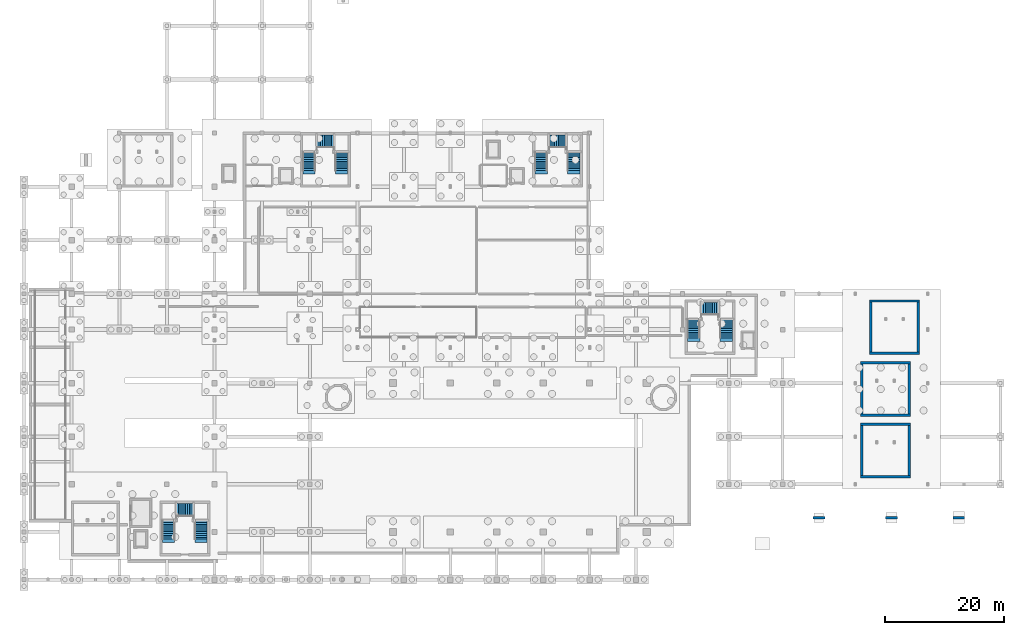
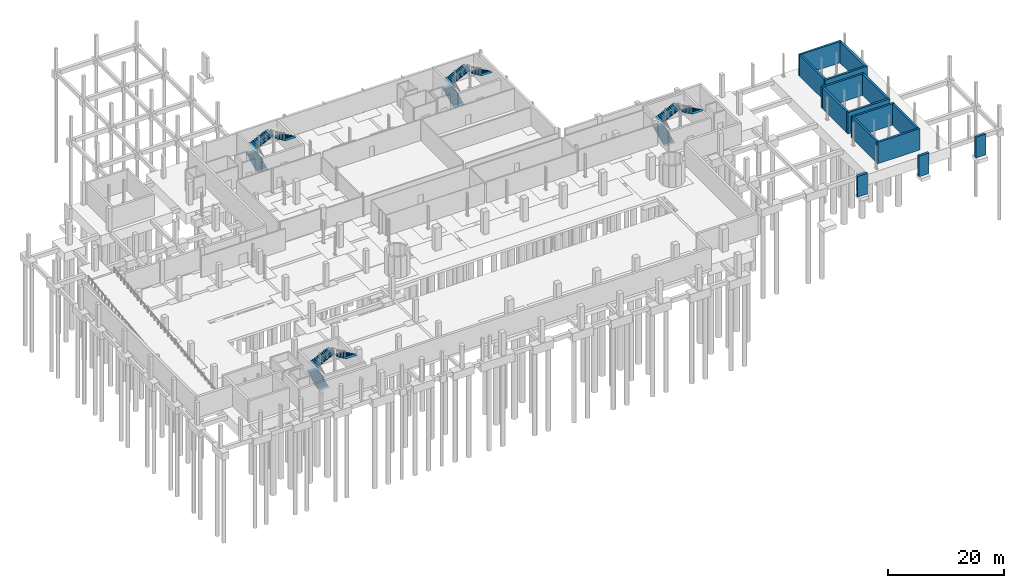
# One storey, part 30 of 32: 15 walls, 12 stair flights, 4 elements without a shape of their own.
"""IFC4 building model written with IfcOpenShell, lengths in metres."""

from ifc_helpers import new_model, si_unit, derived_unit, direction, frame, frame_2d, origin, place, context, subcontext, project, spatial, polyline, rectangle, outline, extrude, material, layer, layer_set, type_object, element, aggregate, save


model = new_model("IFC4")

# Units and contexts
model_context = context("Model", 3, precision=1e-05, world=origin(), true_north=direction((0.0, 1.0)))
body_context = subcontext(model_context, "Body", "Model", "MODEL_VIEW")
ifc_project = project(units=[si_unit("LENGTHUNIT", "METRE"), si_unit("AREAUNIT", "SQUARE_METRE"), si_unit("VOLUMEUNIT", "CUBIC_METRE"), si_unit("PLANEANGLEUNIT", "RADIAN"), si_unit("MASSUNIT", "GRAM", prefix="KILO"), derived_unit("THERMALTRANSMITTANCEUNIT", [(si_unit("POWERUNIT", "WATT"), 1), (si_unit("LENGTHUNIT", "METRE"), -2), (si_unit("THERMODYNAMICTEMPERATUREUNIT", "KELVIN"), -1)])], contexts=[model_context])

# Site, building, storey
site_placement = place(None, origin())
site = spatial("IfcSite", under=ifc_project, at=site_placement, CompositionType="ELEMENT")
building_placement = place(site_placement, origin())
building = spatial("IfcBuilding", under=site, at=building_placement, Name="Nallur Shell Playhouse", CompositionType="ELEMENT")
storey_placement = place(building_placement, frame((0.0, 0.0, -4.800048828125)))
storey = spatial("IfcBuildingStorey", under=building, at=storey_placement, Name="B1", CompositionType="ELEMENT", Elevation=-4.800048828125)

# Walls
ifc_material_1 = material(Name="Concrete M45", Category="concrete")
ifc_layer_1 = layer(ifc_material_1, 0.39990234375)
ifc_layer_set_1 = layer_set([ifc_layer_1], Name="Concrete M45")
wall_type_1 = type_object("IfcWallType", Name="WL-CORE-400", PredefinedType="SHEAR", material=ifc_layer_set_1)
for number, where, z_axis, x_axis, name in (
    (1, (150.0, 46.0, 0.0), (0.0, 0.0, 1.0), (1.0, 0.0, 0.0), "Joint Core JC-5 substructure foundation wall S (B1)"),
    (2, (158.39990234375, 54.800048828125, 0.0), (0.0, 0.0, 1.0), (-1.0, 0.0, 0.0), "Joint Core JC-5 substructure foundation wall N (B1)"),
):
    element("IfcWall", number, at=place(storey_placement, frame(where, z_axis=z_axis, x_axis=x_axis)), inside=storey, type_object=wall_type_1, Name=name, PredefinedType="SHEAR", context=body_context, shape_type="SweptSolid", body=[
        extrude(rectangle(XDim=8.39990234375, YDim=0.39990234375, at=frame_2d((4.199951171875, 0.0))), origin(), (0.0, 0.0, 1.0), 4.47998046875),
    ])
for number, where, z_axis, x_axis, name in (
    (3, (158.199951171875, 46.2099609375, 0.0), (0.0, 0.0, 1.0), (0.0, 1.0, 0.0), "Joint Core JC-5 substructure foundation wall E (B1)"),
    (4, (150.199951171875, 54.590087890625, 0.0), (0.0, 0.0, 1.0), (0.0, -1.0, 0.0), "Joint Core JC-5 substructure foundation wall W (B1)"),
):
    element("IfcWall", number, at=place(storey_placement, frame(where, z_axis=z_axis, x_axis=x_axis)), inside=storey, type_object=wall_type_1, Name=name, PredefinedType="SHEAR", context=body_context, shape_type="SweptSolid", body=[
        extrude(rectangle(XDim=8.380126953125, YDim=0.39990234375, at=frame_2d((4.18994140625, 0.0))), origin(), (0.0, 0.0, 1.0), 4.47998046875),
    ])
for number, where, z_axis, x_axis, name in (
    (5, (148.5, 25.300048828125, 0.0), (0.0, 0.0, 1.0), (1.0, 0.0, 0.0), "Joint Core JC-8 substructure foundation wall S (B1)"),
    (6, (156.89990234375, 34.10009765625, 0.0), (0.0, 0.0, 1.0), (-1.0, 0.0, 0.0), "Joint Core JC-8 substructure foundation wall N (B1)"),
):
    element("IfcWall", number, at=place(storey_placement, frame(where, z_axis=z_axis, x_axis=x_axis)), inside=storey, type_object=wall_type_1, Name=name, PredefinedType="SHEAR", context=body_context, shape_type="SweptSolid", body=[
        extrude(rectangle(XDim=8.39990234375, YDim=0.39990234375, at=frame_2d((4.199951171875, 0.0))), origin(), (0.0, 0.0, 1.0), 4.47998046875),
    ])
for number, where, z_axis, x_axis, name in (
    (7, (156.699951171875, 25.510009765625, 0.0), (0.0, 0.0, 1.0), (0.0, 1.0, 0.0), "Joint Core JC-8 substructure foundation wall E (B1)"),
    (8, (148.699951171875, 33.889892578125, 0.0), (0.0, 0.0, 1.0), (0.0, -1.0, 0.0), "Joint Core JC-8 substructure foundation wall W (B1)"),
):
    element("IfcWall", number, at=place(storey_placement, frame(where, z_axis=z_axis, x_axis=x_axis)), inside=storey, type_object=wall_type_1, Name=name, PredefinedType="SHEAR", context=body_context, shape_type="SweptSolid", body=[
        extrude(rectangle(XDim=8.3798828125, YDim=0.39990234375, at=frame_2d((4.18994140625, 0.0))), origin(), (0.0, 0.0, 1.0), 4.47998046875),
    ])
for number, where, z_axis, x_axis, name in (
    (9, (148.5, 35.60009765625, 0.0), (0.0, 0.0, 1.0), (1.0, 0.0, 0.0), "Joint Core JC-9 substructure foundation wall S (B1)"),
    (10, (156.89990234375, 44.39990234375, 0.0), (0.0, 0.0, 1.0), (-1.0, 0.0, 0.0), "Joint Core JC-9 substructure foundation wall N (B1)"),
):
    element("IfcWall", number, at=place(storey_placement, frame(where, z_axis=z_axis, x_axis=x_axis)), inside=storey, type_object=wall_type_1, Name=name, PredefinedType="SHEAR", context=body_context, shape_type="SweptSolid", body=[
        extrude(rectangle(XDim=8.39990234375, YDim=0.39990234375, at=frame_2d((4.199951171875, 0.0))), origin(), (0.0, 0.0, 1.0), 4.47998046875),
    ])
for number, where, z_axis, x_axis, name in (
    (11, (156.699951171875, 35.81005859375, 0.0), (0.0, 0.0, 1.0), (0.0, 1.0, 0.0), "Joint Core JC-9 substructure foundation wall E (B1)"),
    (12, (148.699951171875, 44.18994140625, 0.0), (0.0, 0.0, 1.0), (0.0, -1.0, 0.0), "Joint Core JC-9 substructure foundation wall W (B1)"),
):
    element("IfcWall", number, at=place(storey_placement, frame(where, z_axis=z_axis, x_axis=x_axis)), inside=storey, type_object=wall_type_1, Name=name, PredefinedType="SHEAR", context=body_context, shape_type="SweptSolid", body=[
        extrude(rectangle(XDim=8.3798828125, YDim=0.39990234375, at=frame_2d((4.18994140625, 0.0))), origin(), (0.0, 0.0, 1.0), 4.47998046875),
    ])
ifc_material_2 = material(Name="Concrete M40", Category="concrete")
ifc_layer_2 = layer(ifc_material_2, 0.449951171875)
ifc_layer_set_2 = layer_set([ifc_layer_2], Name="Concrete M40")
wall_type_2 = type_object("IfcWallType", Name="WL-RET-450", PredefinedType="USERDEFINED", material=ifc_layer_set_2)
for number, where, z_axis, x_axis, name in (
    (13, (140.5, 18.39990234375, 0.0), (0.0, 0.0, 1.0), (1.0, 0.0, 0.0), "Accessible ramp foundation stem wall 01"),
    (14, (152.699951171875, 18.39990234375, 0.0), (0.0, 0.0, 1.0), (1.0, 0.0, 0.0), "Accessible ramp foundation stem wall 02"),
    (15, (164.0, 18.39990234375, 0.0), (0.0, 0.0, 1.0), (1.0, 0.0, 0.0), "Accessible ramp foundation stem wall 03"),
):
    element("IfcWall", number, at=place(storey_placement, frame(where, z_axis=z_axis, x_axis=x_axis)), inside=storey, type_object=wall_type_2, Name=name, ObjectType="RETAININGWALL", PredefinedType="USERDEFINED", context=body_context, shape_type="SweptSolid", body=[
        extrude(rectangle(XDim=2.0, YDim=0.449951171875, at=frame_2d((1.0, 0.0))), origin(), (0.0, 0.0, 1.0), 4.35009765625),
    ])

# Stair, stair flights
ifc_material_3 = material(Name="Concrete M35", Category="concrete")
stair_type = type_object("IfcStairType", Name="ST-CORE-48", PredefinedType="QUARTER_TURN_STAIR", material=ifc_material_3)
stair_1_placement = place(storey_placement, origin())
stair_1 = element("IfcStair", 16, at=stair_1_placement, inside=storey, type_object=stair_type, Name="Core JC-1 exit stair ST-01-B1 (B1 to L01)", PredefinedType="QUARTER_TURN_STAIR")
stair_flight_type_1 = type_object("IfcStairFlightType", Name="ST-FLIGHT-208", PredefinedType="STRAIGHT", material=ifc_material_3)
stair_flight_1_placement = place(storey_placement, frame((32.27001953125, 14.800048828125, 0.0), z_axis=(0.0, 0.0, 1.0), x_axis=(0.0, 1.0, 0.0)))
stair_flight_1 = element("IfcStairFlight", 17, at=stair_flight_1_placement, type_object=stair_flight_type_1, Name="ST-48 flight 1", NumberOfRisers=11, NumberOfTreads=10, PredefinedType="STRAIGHT", RiserHeight=0.15, TreadLength=0.31, context=body_context, shape_type="SweptSolid", body=[
    extrude(outline(polyline([(-0.580078125, 0.0), (-0.580078125, 0.01806640625), (0.0, 0.01806640625), (0.0, 0.14990234375), (0.31005859375, 0.14990234375), (0.31005859375, 0.300048828125), (0.6201171875, 0.300048828125), (0.6201171875, 0.449951171875), (0.929931640625, 0.449951171875), (0.929931640625, 0.60009765625), (1.239990234375, 0.60009765625), (1.239990234375, 0.75), (1.550048828125, 0.75), (1.550048828125, 0.89990234375), (1.860107421875, 0.89990234375), (1.860107421875, 1.050048828125), (2.169921875, 1.050048828125), (2.169921875, 1.199951171875), (2.47998046875, 1.199951171875), (2.47998046875, 1.35009765625), (2.7900390625, 1.35009765625), (2.7900390625, 1.5), (3.10009765625, 1.5), (3.10009765625, 1.64990234375), (3.68017578125, 1.64990234375), (3.68017578125, 1.6318359375), (3.10009765625, 1.322265625), (0.3671875, 0.0), (-0.580078125, 0.0)])), frame((0.0, 1.030029296875, 0.0), z_axis=(0.0, -1.0, 0.0), x_axis=(1.0, 0.0, 0.0)), (0.0, 0.0, 1.0), 2.06005859375),
])
stair_flight_2_placement = place(storey_placement, frame((33.60498046875, 19.7099609375, 1.650146484375), z_axis=(0.0, 0.0, 1.0), x_axis=(1.0, 0.0, 0.0)))
stair_flight_2 = element("IfcStairFlight", 18, at=stair_flight_2_placement, type_object=stair_flight_type_1, Name="ST-48 flight 2", NumberOfRisers=10, NumberOfTreads=9, PredefinedType="STRAIGHT", RiserHeight=0.15, TreadLength=0.31, context=body_context, shape_type="SweptSolid", body=[
    extrude(outline(polyline([(-0.580078125, 0.0), (-0.580078125, 0.01806640625), (0.0, 0.01806640625), (0.0, 0.14990234375), (0.31005859375, 0.14990234375), (0.31005859375, 0.300048828125), (0.6201171875, 0.300048828125), (0.6201171875, 0.449951171875), (0.929931640625, 0.449951171875), (0.929931640625, 0.60009765625), (1.239990234375, 0.60009765625), (1.239990234375, 0.75), (1.550048828125, 0.75), (1.550048828125, 0.89990234375), (1.860107421875, 0.89990234375), (1.860107421875, 1.050048828125), (2.169921875, 1.050048828125), (2.169921875, 1.199951171875), (2.47998046875, 1.199951171875), (2.47998046875, 1.35009765625), (2.7900390625, 1.35009765625), (2.7900390625, 1.5), (3.3701171875, 1.5), (3.3701171875, 1.48193359375), (2.7900390625, 1.17236328125), (0.3671875, 0.0), (-0.580078125, 0.0)])), frame((0.0, 1.030029296875, 0.0), z_axis=(0.0, -1.0, 0.0), x_axis=(1.0, 0.0, 0.0)), (0.0, 0.0, 1.0), 2.06005859375),
])
stair_flight_3_placement = place(storey_placement, frame((37.72998046875, 17.89990234375, 3.150146484375), z_axis=(0.0, 0.0, 1.0), x_axis=(0.0, -1.0, 0.0)))
stair_flight_3 = element("IfcStairFlight", 19, at=stair_flight_3_placement, type_object=stair_flight_type_1, Name="ST-48 flight 3", NumberOfRisers=11, NumberOfTreads=10, PredefinedType="STRAIGHT", RiserHeight=0.15, TreadLength=0.31, context=body_context, shape_type="SweptSolid", body=[
    extrude(outline(polyline([(-0.580078125, 0.0), (-0.580078125, 0.01806640625), (0.0, 0.01806640625), (0.0, 0.14990234375), (0.31005859375, 0.14990234375), (0.31005859375, 0.300048828125), (0.6201171875, 0.300048828125), (0.6201171875, 0.449951171875), (0.929931640625, 0.449951171875), (0.929931640625, 0.60009765625), (1.239990234375, 0.60009765625), (1.239990234375, 0.75), (1.550048828125, 0.75), (1.550048828125, 0.89990234375), (1.860107421875, 0.89990234375), (1.860107421875, 1.050048828125), (2.169921875, 1.050048828125), (2.169921875, 1.199951171875), (2.47998046875, 1.199951171875), (2.47998046875, 1.35009765625), (2.7900390625, 1.35009765625), (2.7900390625, 1.5), (3.10009765625, 1.5), (3.10009765625, 1.64990234375), (3.68017578125, 1.64990234375), (3.68017578125, 1.6318359375), (3.10009765625, 1.322265625), (0.3671875, 0.0), (-0.580078125, 0.0)])), frame((0.0, 1.030029296875, 0.0), z_axis=(0.0, -1.0, 0.0), x_axis=(1.0, 0.0, 0.0)), (0.0, 0.0, 1.0), 2.06005859375),
])
aggregate(stair_1, [stair_flight_1, stair_flight_2, stair_flight_3])

stair_2_placement = place(storey_placement, origin())
stair_2 = element("IfcStair", 20, at=stair_2_placement, inside=storey, type_object=stair_type, Name="Core JC-3 exit stair ST-03-B1 (B1 to L01)", PredefinedType="QUARTER_TURN_STAIR")
stair_flight_4_placement = place(storey_placement, frame((55.8701171875, 76.699951171875, 0.0), z_axis=(0.0, 0.0, 1.0), x_axis=(0.0, 1.0, 0.0)))
stair_flight_4 = element("IfcStairFlight", 21, at=stair_flight_4_placement, type_object=stair_flight_type_1, Name="ST-48 flight 1", NumberOfRisers=11, NumberOfTreads=10, PredefinedType="STRAIGHT", RiserHeight=0.15, TreadLength=0.31, context=body_context, shape_type="SweptSolid", body=[
    extrude(outline(polyline([(-0.580078125, 0.0), (-0.580078125, 0.01806640625), (0.0, 0.01806640625), (0.0, 0.14990234375), (0.31005859375, 0.14990234375), (0.31005859375, 0.300048828125), (0.6201171875, 0.300048828125), (0.6201171875, 0.449951171875), (0.929931640625, 0.449951171875), (0.929931640625, 0.60009765625), (1.239990234375, 0.60009765625), (1.239990234375, 0.75), (1.550048828125, 0.75), (1.550048828125, 0.89990234375), (1.860107421875, 0.89990234375), (1.860107421875, 1.050048828125), (2.169921875, 1.050048828125), (2.169921875, 1.199951171875), (2.47998046875, 1.199951171875), (2.47998046875, 1.35009765625), (2.7900390625, 1.35009765625), (2.7900390625, 1.5), (3.10009765625, 1.5), (3.10009765625, 1.64990234375), (3.68017578125, 1.64990234375), (3.68017578125, 1.6318359375), (3.10009765625, 1.322265625), (0.3671875, 0.0), (-0.580078125, 0.0)])), frame((0.0, 1.030029296875, 0.0), z_axis=(0.0, -1.0, 0.0), x_axis=(1.0, 0.0, 0.0)), (0.0, 0.0, 1.0), 2.06005859375),
])
stair_flight_5_placement = place(storey_placement, frame((57.205078125, 81.610107421875, 1.650146484375), z_axis=(0.0, 0.0, 1.0), x_axis=(1.0, 0.0, 0.0)))
stair_flight_5 = element("IfcStairFlight", 22, at=stair_flight_5_placement, type_object=stair_flight_type_1, Name="ST-48 flight 2", NumberOfRisers=10, NumberOfTreads=9, PredefinedType="STRAIGHT", RiserHeight=0.15, TreadLength=0.31, context=body_context, shape_type="SweptSolid", body=[
    extrude(outline(polyline([(-0.580078125, 0.0), (-0.580078125, 0.01806640625), (0.0, 0.01806640625), (0.0, 0.14990234375), (0.31005859375, 0.14990234375), (0.31005859375, 0.300048828125), (0.6201171875, 0.300048828125), (0.6201171875, 0.449951171875), (0.929931640625, 0.449951171875), (0.929931640625, 0.60009765625), (1.239990234375, 0.60009765625), (1.239990234375, 0.75), (1.550048828125, 0.75), (1.550048828125, 0.89990234375), (1.860107421875, 0.89990234375), (1.860107421875, 1.050048828125), (2.169921875, 1.050048828125), (2.169921875, 1.199951171875), (2.47998046875, 1.199951171875), (2.47998046875, 1.35009765625), (2.7900390625, 1.35009765625), (2.7900390625, 1.5), (3.3701171875, 1.5), (3.3701171875, 1.48193359375), (2.7900390625, 1.17236328125), (0.3671875, 0.0), (-0.580078125, 0.0)])), frame((0.0, 1.030029296875, 0.0), z_axis=(0.0, -1.0, 0.0), x_axis=(1.0, 0.0, 0.0)), (0.0, 0.0, 1.0), 2.06005859375),
])
stair_flight_6_placement = place(storey_placement, frame((61.330078125, 79.800048828125, 3.150146484375), z_axis=(0.0, 0.0, 1.0), x_axis=(0.0, -1.0, 0.0)))
stair_flight_6 = element("IfcStairFlight", 23, at=stair_flight_6_placement, type_object=stair_flight_type_1, Name="ST-48 flight 3", NumberOfRisers=11, NumberOfTreads=10, PredefinedType="STRAIGHT", RiserHeight=0.15, TreadLength=0.31, context=body_context, shape_type="SweptSolid", body=[
    extrude(outline(polyline([(-0.580078125, 0.0), (-0.580078125, 0.01806640625), (0.0, 0.01806640625), (0.0, 0.14990234375), (0.31005859375, 0.14990234375), (0.31005859375, 0.300048828125), (0.6201171875, 0.300048828125), (0.6201171875, 0.449951171875), (0.929931640625, 0.449951171875), (0.929931640625, 0.60009765625), (1.239990234375, 0.60009765625), (1.239990234375, 0.75), (1.550048828125, 0.75), (1.550048828125, 0.89990234375), (1.860107421875, 0.89990234375), (1.860107421875, 1.050048828125), (2.169921875, 1.050048828125), (2.169921875, 1.199951171875), (2.47998046875, 1.199951171875), (2.47998046875, 1.35009765625), (2.7900390625, 1.35009765625), (2.7900390625, 1.5), (3.10009765625, 1.5), (3.10009765625, 1.64990234375), (3.68017578125, 1.64990234375), (3.68017578125, 1.6318359375), (3.10009765625, 1.322265625), (0.3671875, 0.0), (-0.580078125, 0.0)])), frame((0.0, 1.030029296875, 0.0), z_axis=(0.0, -1.0, 0.0), x_axis=(1.0, 0.0, 0.0)), (0.0, 0.0, 1.0), 2.06005859375),
])
aggregate(stair_2, [stair_flight_4, stair_flight_5, stair_flight_6])

stair_3_placement = place(storey_placement, origin())
stair_3 = element("IfcStair", 24, at=stair_3_placement, inside=storey, type_object=stair_type, Name="Core JC-2 exit stair ST-02-B1 (B1 to L01)", PredefinedType="QUARTER_TURN_STAIR")
stair_flight_type_2 = type_object("IfcStairFlightType", Name="ST-FLIGHT-212", PredefinedType="STRAIGHT", material=ifc_material_3)
stair_flight_7_placement = place(storey_placement, frame((120.469970703125, 48.60009765625, 0.0), z_axis=(0.0, 0.0, 1.0), x_axis=(0.0, 1.0, 0.0)))
stair_flight_7 = element("IfcStairFlight", 25, at=stair_flight_7_placement, type_object=stair_flight_type_2, Name="ST-48 flight 1", NumberOfRisers=11, NumberOfTreads=10, PredefinedType="STRAIGHT", RiserHeight=0.15, TreadLength=0.31, context=body_context, shape_type="SweptSolid", body=[
    extrude(outline(polyline([(-0.580078125, 0.0), (-0.580078125, 0.01806640625), (0.0, 0.01806640625), (0.0, 0.14990234375), (0.31005859375, 0.14990234375), (0.31005859375, 0.300048828125), (0.6201171875, 0.300048828125), (0.6201171875, 0.449951171875), (0.929931640625, 0.449951171875), (0.929931640625, 0.60009765625), (1.239990234375, 0.60009765625), (1.239990234375, 0.75), (1.550048828125, 0.75), (1.550048828125, 0.89990234375), (1.860107421875, 0.89990234375), (1.860107421875, 1.050048828125), (2.169921875, 1.050048828125), (2.169921875, 1.199951171875), (2.47998046875, 1.199951171875), (2.47998046875, 1.35009765625), (2.7900390625, 1.35009765625), (2.7900390625, 1.5), (3.10009765625, 1.5), (3.10009765625, 1.64990234375), (3.68017578125, 1.64990234375), (3.68017578125, 1.6318359375), (3.10009765625, 1.322265625), (0.3671875, 0.0), (-0.580078125, 0.0)])), frame((0.0, 1.030029296875, 0.0), z_axis=(0.0, -1.0, 0.0), x_axis=(1.0, 0.0, 0.0)), (0.0, 0.0, 1.0), 2.06005859375),
])
stair_flight_8_placement = place(storey_placement, frame((121.804931640625, 53.510009765625, 1.650146484375), z_axis=(0.0, 0.0, 1.0), x_axis=(1.0, 0.0, 0.0)))
stair_flight_8 = element("IfcStairFlight", 26, at=stair_flight_8_placement, type_object=stair_flight_type_2, Name="ST-48 flight 2", NumberOfRisers=10, NumberOfTreads=9, PredefinedType="STRAIGHT", RiserHeight=0.15, TreadLength=0.31, context=body_context, shape_type="SweptSolid", body=[
    extrude(outline(polyline([(-0.580078125, 0.0), (-0.580078125, 0.01806640625), (0.0, 0.01806640625), (0.0, 0.14990234375), (0.31005859375, 0.14990234375), (0.31005859375, 0.300048828125), (0.6201171875, 0.300048828125), (0.6201171875, 0.449951171875), (0.929931640625, 0.449951171875), (0.929931640625, 0.60009765625), (1.239990234375, 0.60009765625), (1.239990234375, 0.75), (1.550048828125, 0.75), (1.550048828125, 0.89990234375), (1.860107421875, 0.89990234375), (1.860107421875, 1.050048828125), (2.169921875, 1.050048828125), (2.169921875, 1.199951171875), (2.47998046875, 1.199951171875), (2.47998046875, 1.35009765625), (2.7900390625, 1.35009765625), (2.7900390625, 1.5), (3.3701171875, 1.5), (3.3701171875, 1.48193359375), (2.7900390625, 1.17236328125), (0.3671875, 0.0), (-0.580078125, 0.0)])), frame((0.0, 1.030029296875, 0.0), z_axis=(0.0, -1.0, 0.0), x_axis=(1.0, 0.0, 0.0)), (0.0, 0.0, 1.0), 2.06005859375),
])
stair_flight_9_placement = place(storey_placement, frame((125.929931640625, 51.699951171875, 3.150146484375), z_axis=(0.0, 0.0, 1.0), x_axis=(0.0, -1.0, 0.0)))
stair_flight_9 = element("IfcStairFlight", 27, at=stair_flight_9_placement, type_object=stair_flight_type_2, Name="ST-48 flight 3", NumberOfRisers=11, NumberOfTreads=10, PredefinedType="STRAIGHT", RiserHeight=0.15, TreadLength=0.31, context=body_context, shape_type="SweptSolid", body=[
    extrude(outline(polyline([(-0.580078125, 0.0), (-0.580078125, 0.01806640625), (0.0, 0.01806640625), (0.0, 0.14990234375), (0.31005859375, 0.14990234375), (0.31005859375, 0.300048828125), (0.6201171875, 0.300048828125), (0.6201171875, 0.449951171875), (0.929931640625, 0.449951171875), (0.929931640625, 0.60009765625), (1.239990234375, 0.60009765625), (1.239990234375, 0.75), (1.550048828125, 0.75), (1.550048828125, 0.89990234375), (1.860107421875, 0.89990234375), (1.860107421875, 1.050048828125), (2.169921875, 1.050048828125), (2.169921875, 1.199951171875), (2.47998046875, 1.199951171875), (2.47998046875, 1.35009765625), (2.7900390625, 1.35009765625), (2.7900390625, 1.5), (3.10009765625, 1.5), (3.10009765625, 1.64990234375), (3.68017578125, 1.64990234375), (3.68017578125, 1.6318359375), (3.10009765625, 1.322265625), (0.3671875, 0.0), (-0.580078125, 0.0)])), frame((0.0, 1.030029296875, 0.0), z_axis=(0.0, -1.0, 0.0), x_axis=(1.0, 0.0, 0.0)), (0.0, 0.0, 1.0), 2.06005859375),
])
aggregate(stair_3, [stair_flight_7, stair_flight_8, stair_flight_9])

stair_4_placement = place(storey_placement, origin())
stair_4 = element("IfcStair", 28, at=stair_4_placement, inside=storey, type_object=stair_type, Name="Core JC-4 exit stair ST-04-B1 (B1 to L01)", PredefinedType="QUARTER_TURN_STAIR")
stair_flight_10_placement = place(storey_placement, frame((94.8701171875, 76.699951171875, 0.0), z_axis=(0.0, 0.0, 1.0), x_axis=(0.0, 1.0, 0.0)))
stair_flight_10 = element("IfcStairFlight", 29, at=stair_flight_10_placement, type_object=stair_flight_type_2, Name="ST-48 flight 1", NumberOfRisers=11, NumberOfTreads=10, PredefinedType="STRAIGHT", RiserHeight=0.15, TreadLength=0.31, context=body_context, shape_type="SweptSolid", body=[
    extrude(outline(polyline([(-0.580078125, 0.0), (-0.580078125, 0.01806640625), (0.0, 0.01806640625), (0.0, 0.14990234375), (0.31005859375, 0.14990234375), (0.31005859375, 0.300048828125), (0.6201171875, 0.300048828125), (0.6201171875, 0.449951171875), (0.929931640625, 0.449951171875), (0.929931640625, 0.60009765625), (1.239990234375, 0.60009765625), (1.239990234375, 0.75), (1.550048828125, 0.75), (1.550048828125, 0.89990234375), (1.860107421875, 0.89990234375), (1.860107421875, 1.050048828125), (2.169921875, 1.050048828125), (2.169921875, 1.199951171875), (2.47998046875, 1.199951171875), (2.47998046875, 1.35009765625), (2.7900390625, 1.35009765625), (2.7900390625, 1.5), (3.10009765625, 1.5), (3.10009765625, 1.64990234375), (3.68017578125, 1.64990234375), (3.68017578125, 1.6318359375), (3.10009765625, 1.322265625), (0.3671875, 0.0), (-0.580078125, 0.0)])), frame((0.0, 1.030029296875, 0.0), z_axis=(0.0, -1.0, 0.0), x_axis=(1.0, 0.0, 0.0)), (0.0, 0.0, 1.0), 2.06005859375),
])
stair_flight_11_placement = place(storey_placement, frame((96.205078125, 81.610107421875, 1.650146484375), z_axis=(0.0, 0.0, 1.0), x_axis=(1.0, 0.0, 0.0)))
stair_flight_11 = element("IfcStairFlight", 30, at=stair_flight_11_placement, type_object=stair_flight_type_2, Name="ST-48 flight 2", NumberOfRisers=10, NumberOfTreads=9, PredefinedType="STRAIGHT", RiserHeight=0.15, TreadLength=0.31, context=body_context, shape_type="SweptSolid", body=[
    extrude(outline(polyline([(-0.580078125, 0.0), (-0.580078125, 0.01806640625), (0.0, 0.01806640625), (0.0, 0.14990234375), (0.31005859375, 0.14990234375), (0.31005859375, 0.300048828125), (0.6201171875, 0.300048828125), (0.6201171875, 0.449951171875), (0.929931640625, 0.449951171875), (0.929931640625, 0.60009765625), (1.239990234375, 0.60009765625), (1.239990234375, 0.75), (1.550048828125, 0.75), (1.550048828125, 0.89990234375), (1.860107421875, 0.89990234375), (1.860107421875, 1.050048828125), (2.169921875, 1.050048828125), (2.169921875, 1.199951171875), (2.47998046875, 1.199951171875), (2.47998046875, 1.35009765625), (2.7900390625, 1.35009765625), (2.7900390625, 1.5), (3.3701171875, 1.5), (3.3701171875, 1.48193359375), (2.7900390625, 1.17236328125), (0.3671875, 0.0), (-0.580078125, 0.0)])), frame((0.0, 1.030029296875, 0.0), z_axis=(0.0, -1.0, 0.0), x_axis=(1.0, 0.0, 0.0)), (0.0, 0.0, 1.0), 2.06005859375),
])
stair_flight_12_placement = place(storey_placement, frame((100.330078125, 79.800048828125, 3.150146484375), z_axis=(0.0, 0.0, 1.0), x_axis=(0.0, -1.0, 0.0)))
stair_flight_12 = element("IfcStairFlight", 31, at=stair_flight_12_placement, type_object=stair_flight_type_2, Name="ST-48 flight 3", NumberOfRisers=11, NumberOfTreads=10, PredefinedType="STRAIGHT", RiserHeight=0.15, TreadLength=0.31, context=body_context, shape_type="SweptSolid", body=[
    extrude(outline(polyline([(-0.580078125, 0.0), (-0.580078125, 0.01806640625), (0.0, 0.01806640625), (0.0, 0.14990234375), (0.31005859375, 0.14990234375), (0.31005859375, 0.300048828125), (0.6201171875, 0.300048828125), (0.6201171875, 0.449951171875), (0.929931640625, 0.449951171875), (0.929931640625, 0.60009765625), (1.239990234375, 0.60009765625), (1.239990234375, 0.75), (1.550048828125, 0.75), (1.550048828125, 0.89990234375), (1.860107421875, 0.89990234375), (1.860107421875, 1.050048828125), (2.169921875, 1.050048828125), (2.169921875, 1.199951171875), (2.47998046875, 1.199951171875), (2.47998046875, 1.35009765625), (2.7900390625, 1.35009765625), (2.7900390625, 1.5), (3.10009765625, 1.5), (3.10009765625, 1.64990234375), (3.68017578125, 1.64990234375), (3.68017578125, 1.6318359375), (3.10009765625, 1.322265625), (0.3671875, 0.0), (-0.580078125, 0.0)])), frame((0.0, 1.030029296875, 0.0), z_axis=(0.0, -1.0, 0.0), x_axis=(1.0, 0.0, 0.0)), (0.0, 0.0, 1.0), 2.06005859375),
])
aggregate(stair_4, [stair_flight_10, stair_flight_11, stair_flight_12])

save(model, "model.ifc")
